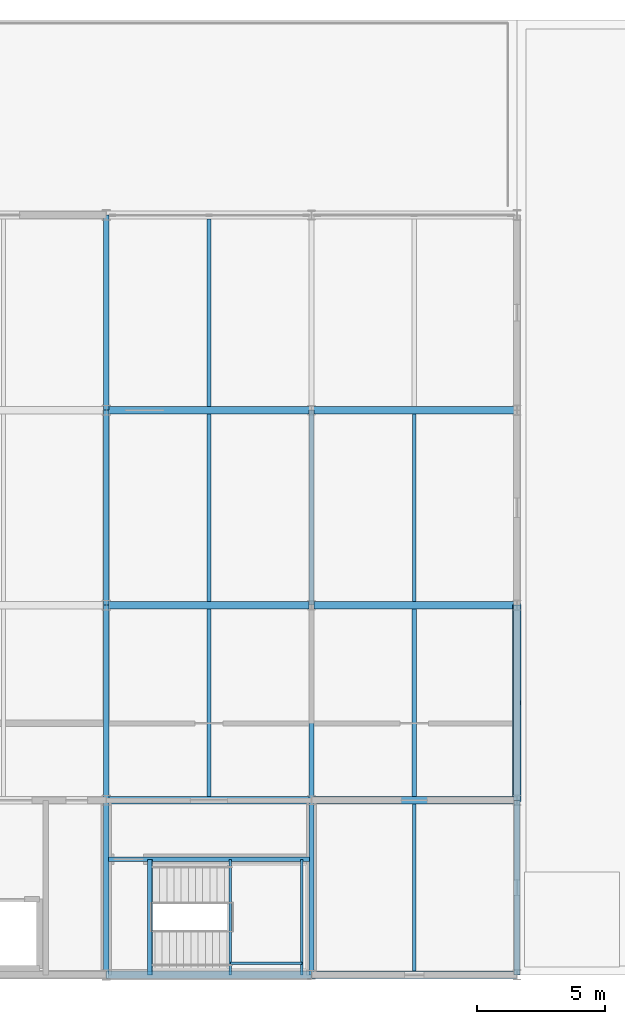
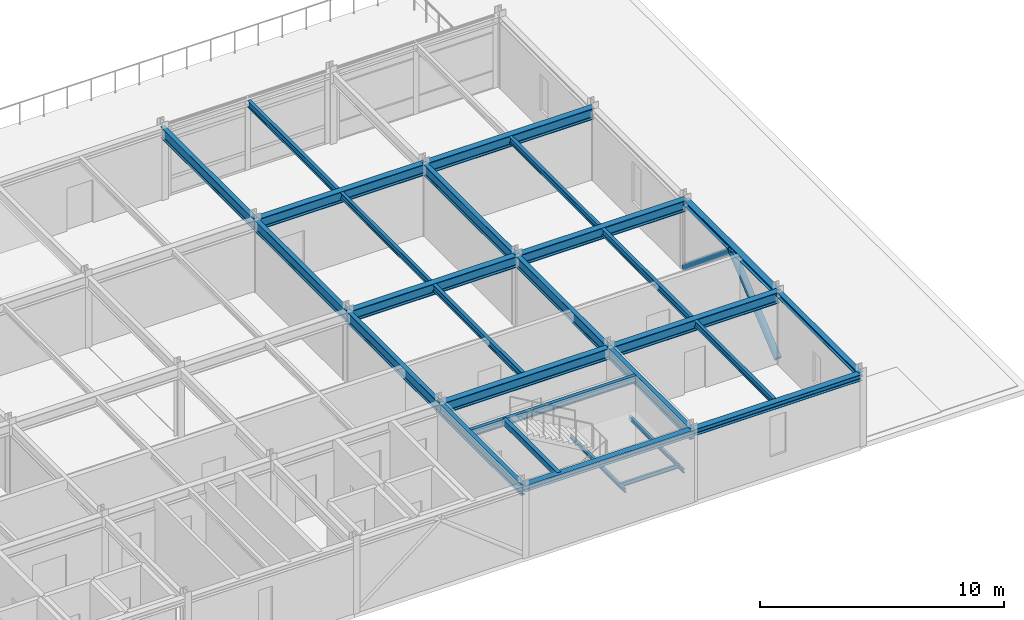
# One storey, part 6 of 12: 28 beams, 2 members.
"""IFC4 building model written with IfcOpenShell, lengths in metres."""

import ifcopenshell
import ifcopenshell.guid

model = None  # the IFC model being written
_history = None  # IfcOwnerHistory: only IFC2X3 demands one
_inside = {}  # id of a spatial element -> (the spatial element, [elements in it])
_under = {}  # id of a project, library or spatial element -> (it, [spatial elements below it])
_declared = {}  # id of a project -> (the project, [libraries it declares])
_typed = {}  # id of a type object -> (the type object, [elements of that type])
_made_of = {}  # id of a material, layer set ... -> (it, [elements and type objects made of it])


def new_model(schema):
    """Start an empty IFC model of exactly this schema.

    Asked for "IFC4X3", IfcOpenShell would pick the latest addendum, in which some entities
    have other attributes; the version numbers below select the first issue.
    IFC2X3 requires an IfcOwnerHistory on every rooted entity: one is made here for all.
    """
    global model, _history
    if schema == "IFC4X3":
        model = ifcopenshell.file(schema_version=(4, 3, 0, 0))
    else:
        model = ifcopenshell.file(schema=schema)
    _inside.clear()
    _under.clear()
    _declared.clear()
    _typed.clear()
    _made_of.clear()
    _history = None
    if model.schema == "IFC2X3":
        org = make("IfcOrganization", Name="unknown")
        user = make(
            "IfcPersonAndOrganization",
            ThePerson=make("IfcPerson", FamilyName="unknown"),
            TheOrganization=org,
        )
        app = make(
            "IfcApplication",
            ApplicationDeveloper=org,
            Version="unknown",
            ApplicationFullName="unknown",
            ApplicationIdentifier="unknown",
        )
        _history = make(
            "IfcOwnerHistory",
            OwningUser=user,
            OwningApplication=app,
            ChangeAction="ADDED",
            CreationDate=0,
        )
    return model


def make(cls, **values):
    """One entity of the class cls with the attributes given. An attribute that is None is left unset."""
    return model.create_entity(
        cls, **{name: value for name, value in values.items() if value is not None}
    )


def rooted(cls, **values):
    """An entity with a GlobalId (a new one), such as an element, a storey or a relation."""
    return make(cls, GlobalId=ifcopenshell.guid.new(), OwnerHistory=_history, **values)


def si_unit(unit_type, name, prefix=None):
    """IfcSIUnit, for example si_unit("LENGTHUNIT", "METRE", prefix="MILLI")."""
    return make("IfcSIUnit", UnitType=unit_type, Prefix=prefix, Name=name)


def assignment(units):
    """IfcUnitAssignment: the units of a project."""
    return None if units is None else make("IfcUnitAssignment", Units=units)


def point(xyz):
    """IfcCartesianPoint."""
    return None if xyz is None else make("IfcCartesianPoint", Coordinates=xyz)


def direction(xyz):
    """IfcDirection."""
    return None if xyz is None else make("IfcDirection", DirectionRatios=xyz)


def frame(location, z_axis=None, x_axis=None):
    """IfcAxis2Placement3D, a coordinate frame: its origin and axes. An axis left out is left unset."""
    return make(
        "IfcAxis2Placement3D",
        Location=point(location),
        Axis=direction(z_axis),
        RefDirection=direction(x_axis),
    )


def frame_2d(location, x_axis=None):
    """IfcAxis2Placement2D, a coordinate frame in the plane: its origin and x axis."""
    return make(
        "IfcAxis2Placement2D", Location=point(location), RefDirection=direction(x_axis)
    )


def origin():
    """The frame at (0, 0, 0) with its axes left unset."""
    return frame((0.0, 0.0, 0.0))


def origin_2d():
    """The frame at (0, 0) in the plane with its x axis left unset."""
    return frame_2d((0.0, 0.0))


def place(relative_to, where):
    """IfcLocalPlacement: puts the frame where relative to a parent placement (None: the world)."""
    return make(
        "IfcLocalPlacement", PlacementRelTo=relative_to, RelativePlacement=where
    )


def context(
    kind, dimensions, precision=None, world=None, true_north=None, identifier=None
):
    """IfcGeometricRepresentationContext, for example the 3D "Model" context."""
    return make(
        "IfcGeometricRepresentationContext",
        ContextIdentifier=identifier,
        ContextType=kind,
        CoordinateSpaceDimension=dimensions,
        Precision=precision,
        WorldCoordinateSystem=world,
        TrueNorth=true_north,
    )


def subcontext(parent, identifier, kind, view, scale=None):
    """IfcGeometricRepresentationSubContext, for example "Body" below "Model"."""
    return make(
        "IfcGeometricRepresentationSubContext",
        ContextIdentifier=identifier,
        ContextType=kind,
        ParentContext=parent,
        TargetScale=scale,
        TargetView=view,
    )


def project(units=None, contexts=None):
    """IfcProject with its units and contexts."""
    return rooted(
        "IfcProject",
        Name="project",
        RepresentationContexts=contexts,
        UnitsInContext=assignment(units),
    )


def spatial(cls, under=None, at=None, **own):
    """A site, building, storey or space (cls), placed at a placement, below another one or the project."""
    s = rooted(cls, ObjectPlacement=at, **own)
    if under is not None:
        _under.setdefault(under.id(), (under, []))[1].append(s)
    return s


def profile(cls, at=None, kind="AREA", **sizes):
    """A parametric profile (cls). Its sizes go by their IFC names, for example OverallWidth=200.0."""
    return make(cls, ProfileType=kind, Position=at, **sizes)


def hollow_rectangle(**sizes):
    """IfcRectangleHollowProfileDef."""
    return profile("IfcRectangleHollowProfileDef", **sizes)


def hollow_circle(**sizes):
    """IfcCircleHollowProfileDef."""
    return profile("IfcCircleHollowProfileDef", **sizes)


def i_section(**sizes):
    """IfcIShapeProfileDef."""
    return profile("IfcIShapeProfileDef", **sizes)


def extrude(swept, where, along, depth):
    """IfcExtrudedAreaSolid: the profile swept, set in the frame where, extruded along a direction by depth."""
    return make(
        "IfcExtrudedAreaSolid",
        SweptArea=swept,
        Position=where,
        ExtrudedDirection=direction(along),
        Depth=depth,
    )


def shape(context_of_items, identifier, shape_type, items):
    """IfcShapeRepresentation: the items that make up one representation, for example the "Body"."""
    return make(
        "IfcShapeRepresentation",
        ContextOfItems=context_of_items,
        RepresentationIdentifier=identifier,
        RepresentationType=shape_type,
        Items=items,
    )


def material(Name=None, Category=None):
    """IfcMaterial."""
    return make("IfcMaterial", Name=Name, Category=Category)


def material_profile(
    of_material, cross_section, Name=None, Category=None, Priority=None
):
    """IfcMaterialProfile: a cross section and its material."""
    return make(
        "IfcMaterialProfile",
        Name=Name,
        Material=of_material,
        Profile=cross_section,
        Priority=Priority,
        Category=Category,
    )


def profile_set(profiles, Name=None, composite=None):
    """IfcMaterialProfileSet."""
    return make(
        "IfcMaterialProfileSet",
        Name=Name,
        MaterialProfiles=profiles,
        CompositeProfile=composite,
    )


def made_of(thing, what):
    """Note that an element or type object is made of a material, layer set ...; save() writes the relation."""
    if what is not None:
        _made_of.setdefault(what.id(), (what, []))[1].append(thing)
    return thing


def type_object(cls, material=None, **own):
    """A type object (cls), such as IfcWallType, which elements share."""
    return made_of(rooted(cls, **own), material)


def element(
    cls,
    number,
    at=None,
    inside=None,
    cuts=None,
    type_object=None,
    material=None,
    context=None,
    identifier="Body",
    shape_type=None,
    held_by="IfcProductDefinitionShape",
    body=None,
    shapes=None,
    **own,
):
    """One element of the class cls, such as IfcWall. Its Tag is "e" and its number.

    at: its placement. inside: the storey or other place that contains it. cuts: it is an
    opening in that element (IfcRelVoidsElement). A single representation is given by context,
    identifier, shape_type and body (its items); several are given by shapes. held_by: the class
    of the entity that holds the representations. save() writes the other relations.
    """
    e = rooted(cls, Tag="e%d" % number, ObjectPlacement=at, **own)
    if body is not None:
        shapes = [shape(context, identifier, shape_type, body)]
    if shapes is not None:
        e.Representation = make(held_by, Representations=shapes)
    if inside is not None:
        _inside.setdefault(inside.id(), (inside, []))[1].append(e)
    if cuts is not None:
        rooted(
            "IfcRelVoidsElement", RelatingBuildingElement=cuts, RelatedOpeningElement=e
        )
    if type_object is not None:
        _typed.setdefault(type_object.id(), (type_object, []))[1].append(e)
    return made_of(e, material)


def aggregate(whole, parts):
    """IfcRelAggregates: a whole, such as a stair, and the parts it consists of."""
    return rooted("IfcRelAggregates", RelatingObject=whole, RelatedObjects=parts)


def save(model, path):
    """Write the relations noted so far, then the file.

    IfcRelAggregates (storeys below a building ...), IfcRelContainedInSpatialStructure (elements
    in a storey), IfcRelDefinesByType, IfcRelAssociatesMaterial and IfcRelDeclares: one each for
    every whole, place, type object, material and project.
    """
    for whole, parts in _under.values():
        aggregate(whole, parts)
    for where, things in _inside.values():
        rooted(
            "IfcRelContainedInSpatialStructure",
            RelatedElements=things,
            RelatingStructure=where,
        )
    for kind, things in _typed.values():
        rooted("IfcRelDefinesByType", RelatedObjects=things, RelatingType=kind)
    for what, things in _made_of.values():
        rooted("IfcRelAssociatesMaterial", RelatedObjects=things, RelatingMaterial=what)
    for by, libraries in _declared.values():
        rooted("IfcRelDeclares", RelatingContext=by, RelatedDefinitions=libraries)
    model.write(path)


model = new_model("IFC4")

# Units and contexts
model_context = context("Model", 3, precision=1e-05, world=origin(), true_north=direction((0.0, 1.0)))
body_context = subcontext(model_context, "Body", "Model", "MODEL_VIEW")
ifc_project = project(units=[si_unit("LENGTHUNIT", "METRE"), si_unit("AREAUNIT", "SQUARE_METRE"), si_unit("VOLUMEUNIT", "CUBIC_METRE"), si_unit("PLANEANGLEUNIT", "RADIAN"), si_unit("MASSUNIT", "GRAM", prefix="KILO")], contexts=[model_context])

# Site, building, storey
site_placement = place(None, origin())
site = spatial("IfcSite", under=ifc_project, at=site_placement, CompositionType="ELEMENT")
building_placement = place(site_placement, origin())
building = spatial("IfcBuilding", under=site, at=building_placement, Name="Shalkamar Park Central Library", CompositionType="ELEMENT")
storey_placement = place(building_placement, frame((0.0, 0.0, 56.10009765625)))
storey = spatial("IfcBuildingStorey", under=building, at=storey_placement, Name="L14", CompositionType="ELEMENT", Elevation=56.10009765625)

# Beams
ifc_material = material(Name="Steel S355", Category="steel")
ifc_material_profile_1 = material_profile(ifc_material, i_section(OverallWidth=0.10009765625, OverallDepth=0.199951171875, WebThickness=0.005615234375, FlangeThickness=0.008544921875, FilletRadius=0.011962890625, at=origin_2d()), Name="IPE 200")
ifc_profile_set_1 = profile_set([ifc_material_profile_1], Name="Steel S355")
beam_type_1 = type_object("IfcBeamType", Name="Composite Floor Joist IPE200", PredefinedType="JOIST", material=ifc_profile_set_1)
for number, where, z_axis, x_axis, name in (
    (1, (201.840087890625, 248.39990234375, 1.56982421875), (0.0, 1.0, 0.0), (-1.0, 0.0, 0.0), "Stair Half-Landing Beam ST-T2-L14-1"),
    (2, (204.6201171875, 248.39990234375, 1.56982421875), (0.0, 1.0, 0.0), (-1.0, 0.0, 0.0), "Stair Half-Landing Beam ST-T2-L14-2"),
):
    element("IfcBeam", number, at=place(storey_placement, frame(where, z_axis=z_axis, x_axis=x_axis)), inside=storey, type_object=beam_type_1, Name=name, PredefinedType="JOIST", context=body_context, shape_type="SweptSolid", body=[
        extrude(i_section(OverallWidth=0.10009765625, OverallDepth=0.199951171875, WebThickness=0.005615234375, FlangeThickness=0.008544921875, FilletRadius=0.011962890625, at=origin_2d()), origin(), (0.0, 0.0, 1.0), 4.5),
    ])
beam_1_placement = place(storey_placement, frame((201.840087890625, 248.85009765625, 1.56982421875), z_axis=(1.0, 0.0, 0.0), x_axis=(0.0, 1.0, 0.0)))
element("IfcBeam", 3, at=beam_1_placement, inside=storey, type_object=beam_type_1, Name="Stair Half-Landing Cross Tie ST-T2-L14-3", PredefinedType="JOIST", context=body_context, shape_type="SweptSolid", body=[
    extrude(i_section(OverallWidth=0.10009765625, OverallDepth=0.199951171875, WebThickness=0.005615234375, FlangeThickness=0.008544921875, FilletRadius=0.011962890625, at=origin_2d()), origin(), (0.0, 0.0, 1.0), 2.780029296875),
])
ifc_material_profile_2 = material_profile(ifc_material, i_section(OverallWidth=0.14990234375, OverallDepth=0.300048828125, WebThickness=0.007080078125, FlangeThickness=0.0107421875, FilletRadius=0.014892578125, at=origin_2d()), Name="IPE 300")
ifc_profile_set_2 = profile_set([ifc_material_profile_2], Name="Steel S355")
beam_type_2 = type_object("IfcBeamType", Name="Composite Floor Joist IPE300", PredefinedType="JOIST", material=ifc_profile_set_2)
beam_2_placement = place(storey_placement, frame((201.0, 262.947998046875, 3.429931640625), z_axis=(0.0, 1.0, 0.0), x_axis=(-1.0, 0.0, 0.0)))
element("IfcBeam", 4, at=beam_2_placement, inside=storey, type_object=beam_type_2, Name="Composite Joist 11/D-1 (L14)", PredefinedType="JOIST", context=body_context, shape_type="SweptSolid", body=[
    extrude(i_section(OverallWidth=0.14990234375, OverallDepth=0.300048828125, WebThickness=0.007080078125, FlangeThickness=0.0107421875, FilletRadius=0.014892578125, at=origin_2d()), origin(), (0.0, 0.0, 1.0), 7.303955078125),
])
beam_3_placement = place(storey_placement, frame((209.0, 248.548095703125, 3.429931640625), z_axis=(0.0, 1.0, 0.0), x_axis=(-1.0, 0.0, 0.0)))
element("IfcBeam", 5, at=beam_3_placement, inside=storey, type_object=beam_type_2, Name="Composite Joist 12/B-1 (L14)", PredefinedType="JOIST", context=body_context, shape_type="SweptSolid", body=[
    extrude(i_section(OverallWidth=0.14990234375, OverallDepth=0.300048828125, WebThickness=0.007080078125, FlangeThickness=0.0107421875, FilletRadius=0.014892578125, at=origin_2d()), origin(), (0.0, 0.0, 1.0), 6.50390625),
])
beam_4_placement = place(storey_placement, frame((209.0, 262.947998046875, 3.429931640625), z_axis=(0.0, 1.0, 0.0), x_axis=(-1.0, 0.0, 0.0)))
element("IfcBeam", 6, at=beam_4_placement, inside=storey, type_object=beam_type_2, Name="Composite Joist 12/D-1 (L14)", PredefinedType="JOIST", context=body_context, shape_type="SweptSolid", body=[
    extrude(i_section(OverallWidth=0.14990234375, OverallDepth=0.300048828125, WebThickness=0.007080078125, FlangeThickness=0.0107421875, FilletRadius=0.014892578125, at=origin_2d()), origin(), (0.0, 0.0, 1.0), 7.303955078125),
])
ifc_material_profile_3 = material_profile(ifc_material, i_section(OverallWidth=0.159912109375, OverallDepth=0.330078125, WebThickness=0.007568359375, FlangeThickness=0.011474609375, FilletRadius=0.01806640625, at=origin_2d()), Name="IPE 330")
ifc_profile_set_3 = profile_set([ifc_material_profile_3], Name="Steel S355")
beam_type_3 = type_object("IfcBeamType", Name="Composite Floor Joist IPE330", PredefinedType="JOIST", material=ifc_profile_set_3)
beam_5_placement = place(storey_placement, frame((201.0, 255.347900390625, 3.414794921875), z_axis=(0.0, 1.0, 0.0), x_axis=(-1.0, 0.0, 0.0)))
element("IfcBeam", 7, at=beam_5_placement, inside=storey, type_object=beam_type_3, Name="Composite Joist 11/C-1 (L14)", PredefinedType="JOIST", context=body_context, shape_type="SweptSolid", body=[
    extrude(i_section(OverallWidth=0.159912109375, OverallDepth=0.330078125, WebThickness=0.007568359375, FlangeThickness=0.011474609375, FilletRadius=0.01806640625, at=origin_2d()), origin(), (0.0, 0.0, 1.0), 7.30419921875),
])
beam_6_placement = place(storey_placement, frame((201.0, 270.548095703125, 3.414794921875), z_axis=(0.0, 1.0, 0.0), x_axis=(-1.0, 0.0, 0.0)))
element("IfcBeam", 8, at=beam_6_placement, inside=storey, type_object=beam_type_3, Name="Composite Joist 11/E-1 (L14)", PredefinedType="JOIST", context=body_context, shape_type="SweptSolid", body=[
    extrude(i_section(OverallWidth=0.159912109375, OverallDepth=0.330078125, WebThickness=0.007568359375, FlangeThickness=0.011474609375, FilletRadius=0.01806640625, at=origin_2d()), origin(), (0.0, 0.0, 1.0), 7.303955078125),
])
beam_7_placement = place(storey_placement, frame((209.0, 255.347900390625, 3.414794921875), z_axis=(0.0, 1.0, 0.0), x_axis=(-1.0, 0.0, 0.0)))
element("IfcBeam", 9, at=beam_7_placement, inside=storey, type_object=beam_type_3, Name="Composite Joist 12/C-1 (L14)", PredefinedType="JOIST", context=body_context, shape_type="SweptSolid", body=[
    extrude(i_section(OverallWidth=0.159912109375, OverallDepth=0.330078125, WebThickness=0.007568359375, FlangeThickness=0.011474609375, FilletRadius=0.01806640625, at=origin_2d()), origin(), (0.0, 0.0, 1.0), 7.30419921875),
])

# Members
ifc_material_profile_4 = material_profile(ifc_material, hollow_circle(Radius=0.161865234375, WallThickness=0.012451171875, at=origin_2d()), Name="CHS 323.9x12.5")
ifc_profile_set_4 = profile_set([ifc_material_profile_4], Name="Steel S355")
member_type = type_object("IfcMemberType", Name="Diagonal Brace CHS323", PredefinedType="BRACE", material=ifc_profile_set_4)
for number, where, z_axis, x_axis, name in (
    (10, (213.0, 255.199951171875, 0.14990234375), (0.0, 0.771887288884, 0.635759398876), (-1.0, 0.0, 0.0), "Chevron Brace TW-E Leg A (L14)"),
    (11, (213.0, 262.800048828125, 0.14990234375), (0.0, -0.771887288884, 0.635759398876), (1.0, 0.0, 0.0), "Chevron Brace TW-E Leg B (L14)"),
):
    element("IfcMember", number, at=place(storey_placement, frame(where, z_axis=z_axis, x_axis=x_axis)), inside=storey, type_object=member_type, Name=name, PredefinedType="BRACE", context=body_context, shape_type="SweptSolid", body=[
        extrude(hollow_circle(Radius=0.161865234375, WallThickness=0.012451171875, at=origin_2d()), origin(), (0.0, 0.0, 1.0), 4.923095703125),
    ])

# Beams
ifc_material_profile_5 = material_profile(ifc_material, i_section(OverallWidth=0.239990234375, OverallDepth=0.22998046875, WebThickness=0.007568359375, FlangeThickness=0.011962890625, FilletRadius=0.02099609375, at=origin_2d()), Name="HEA 240")
ifc_profile_set_5 = profile_set([ifc_material_profile_5], Name="Steel S355")
beam_type_4 = type_object("IfcBeamType", Name="Perimeter Spandrel Beam HEA240", PredefinedType="SPANDREL", material=ifc_profile_set_5)
beam_8_placement = place(storey_placement, frame((213.0, 248.39990234375, 3.46484375), z_axis=(0.0, 1.0, 0.0), x_axis=(-1.0, 0.0, 0.0)))
element("IfcBeam", 12, at=beam_8_placement, inside=storey, type_object=beam_type_4, Name="Beam 13:B-C (L14)", PredefinedType="SPANDREL", context=body_context, shape_type="SweptSolid", body=[
    extrude(i_section(OverallWidth=0.239990234375, OverallDepth=0.22998046875, WebThickness=0.007568359375, FlangeThickness=0.011962890625, FilletRadius=0.02099609375, at=origin_2d()), origin(), (0.0, 0.0, 1.0), 6.800048828125),
])
ifc_material_profile_6 = material_profile(ifc_material, i_section(OverallWidth=0.280029296875, OverallDepth=0.27001953125, WebThickness=0.008056640625, FlangeThickness=0.012939453125, FilletRadius=0.02392578125, at=origin_2d()), Name="HEA 280")
ifc_profile_set_6 = profile_set([ifc_material_profile_6], Name="Steel S355")
beam_type_5 = type_object("IfcBeamType", Name="Perimeter Spandrel Beam HEA280", PredefinedType="SPANDREL", material=ifc_profile_set_6)
beam_9_placement = place(storey_placement, frame((213.0, 255.199951171875, 3.44482421875), z_axis=(0.0, 1.0, 0.0), x_axis=(-1.0, 0.0, 0.0)))
element("IfcBeam", 13, at=beam_9_placement, inside=storey, type_object=beam_type_5, Name="Beam 13:C-D (L14)", PredefinedType="SPANDREL", context=body_context, shape_type="SweptSolid", body=[
    extrude(i_section(OverallWidth=0.280029296875, OverallDepth=0.27001953125, WebThickness=0.008056640625, FlangeThickness=0.012939453125, FilletRadius=0.02392578125, at=origin_2d()), origin(), (0.0, 0.0, 1.0), 7.60009765625),
])
ifc_material_profile_7 = material_profile(ifc_material, i_section(OverallWidth=0.300048828125, OverallDepth=0.31005859375, WebThickness=0.009033203125, FlangeThickness=0.015380859375, FilletRadius=0.027099609375, at=origin_2d()), Name="HEA 320")
ifc_profile_set_7 = profile_set([ifc_material_profile_7], Name="Steel S355")
beam_type_6 = type_object("IfcBeamType", Name="Perimeter Spandrel Beam HEA320", PredefinedType="SPANDREL", material=ifc_profile_set_7)
for number, where, z_axis, x_axis, name in (
    (14, (197.0, 248.39990234375, 3.4248046875), (1.0, 0.0, 0.0), (0.0, 1.0, 0.0), "Beam B:11-12 (L14)"),
    (15, (205.0, 248.39990234375, 3.4248046875), (1.0, 0.0, 0.0), (0.0, 1.0, 0.0), "Beam B:12-13 (L14)"),
):
    element("IfcBeam", number, at=place(storey_placement, frame(where, z_axis=z_axis, x_axis=x_axis)), inside=storey, type_object=beam_type_6, Name=name, PredefinedType="SPANDREL", context=body_context, shape_type="SweptSolid", body=[
        extrude(i_section(OverallWidth=0.300048828125, OverallDepth=0.31005859375, WebThickness=0.009033203125, FlangeThickness=0.015380859375, FilletRadius=0.027099609375, at=origin_2d()), origin(), (0.0, 0.0, 1.0), 8.0),
    ])
ifc_material_profile_8 = material_profile(ifc_material, i_section(OverallWidth=0.300048828125, OverallDepth=0.550048828125, WebThickness=0.014892578125, FlangeThickness=0.029052734375, FilletRadius=0.027099609375, at=origin_2d()), Name="HEB 550")
ifc_profile_set_8 = profile_set([ifc_material_profile_8], Name="Steel S355")
beam_type_7 = type_object("IfcBeamType", Name="Primary Girder HEB550", PredefinedType="BEAM", material=ifc_profile_set_8)
for number, where, z_axis, x_axis, name in (
    (16, (197.0, 255.199951171875, 3.304931640625), (1.0, 0.0, 0.0), (0.0, 1.0, 0.0), "Beam C:11-12 (L14)"),
    (17, (205.0, 255.199951171875, 3.304931640625), (1.0, 0.0, 0.0), (0.0, 1.0, 0.0), "Beam C:12-13 (L14)"),
    (18, (197.0, 262.800048828125, 3.304931640625), (1.0, 0.0, 0.0), (0.0, 1.0, 0.0), "Beam D:11-12 (L14)"),
    (19, (205.0, 262.800048828125, 3.304931640625), (1.0, 0.0, 0.0), (0.0, 1.0, 0.0), "Beam D:12-13 (L14)"),
    (20, (197.0, 270.39990234375, 3.304931640625), (1.0, 0.0, 0.0), (0.0, 1.0, 0.0), "Beam E:11-12 (L14)"),
    (21, (205.0, 270.39990234375, 3.304931640625), (1.0, 0.0, 0.0), (0.0, 1.0, 0.0), "Beam E:12-13 (L14)"),
):
    element("IfcBeam", number, at=place(storey_placement, frame(where, z_axis=z_axis, x_axis=x_axis)), inside=storey, type_object=beam_type_7, Name=name, PredefinedType="BEAM", context=body_context, shape_type="SweptSolid", body=[
        extrude(i_section(OverallWidth=0.300048828125, OverallDepth=0.550048828125, WebThickness=0.014892578125, FlangeThickness=0.029052734375, FilletRadius=0.027099609375, at=origin_2d()), origin(), (0.0, 0.0, 1.0), 8.0),
    ])
ifc_material_profile_9 = material_profile(ifc_material, i_section(OverallWidth=0.169921875, OverallDepth=0.360107421875, WebThickness=0.008056640625, FlangeThickness=0.0126953125, FilletRadius=0.01806640625, at=origin_2d()), Name="IPE 360")
ifc_profile_set_9 = profile_set([ifc_material_profile_9], Name="Steel S355")
beam_type_8 = type_object("IfcBeamType", Name="Primary Girder IPE360", PredefinedType="BEAM", material=ifc_profile_set_9)
beam_10_placement = place(storey_placement, frame((197.087890625, 252.89990234375, 3.39990234375), z_axis=(1.0, 0.0, 0.0), x_axis=(0.0, 1.0, 0.0)))
element("IfcBeam", 22, at=beam_10_placement, inside=storey, type_object=beam_type_8, Name="CORE-T2 Stairwell Divider Beam (L14)", PredefinedType="BEAM", context=body_context, shape_type="SweptSolid", body=[
    extrude(i_section(OverallWidth=0.169921875, OverallDepth=0.360107421875, WebThickness=0.008056640625, FlangeThickness=0.0126953125, FilletRadius=0.01806640625, at=origin_2d()), origin(), (0.0, 0.0, 1.0), 7.82421875),
])
ifc_material_profile_10 = material_profile(ifc_material, i_section(OverallWidth=0.2099609375, OverallDepth=0.550048828125, WebThickness=0.010986328125, FlangeThickness=0.01708984375, FilletRadius=0.02392578125, at=origin_2d()), Name="IPE 550")
ifc_profile_set_10 = profile_set([ifc_material_profile_10], Name="Steel S355")
beam_type_9 = type_object("IfcBeamType", Name="Primary Girder IPE550", PredefinedType="BEAM", material=ifc_profile_set_10)
beam_11_placement = place(storey_placement, frame((197.0, 248.39990234375, 3.304931640625), z_axis=(0.0, 1.0, 0.0), x_axis=(-1.0, 0.0, 0.0)))
element("IfcBeam", 23, at=beam_11_placement, inside=storey, type_object=beam_type_9, Name="Beam 11:B-C (L14)", PredefinedType="BEAM", context=body_context, shape_type="SweptSolid", body=[
    extrude(i_section(OverallWidth=0.2099609375, OverallDepth=0.550048828125, WebThickness=0.010986328125, FlangeThickness=0.01708984375, FilletRadius=0.02392578125, at=origin_2d()), origin(), (0.0, 0.0, 1.0), 6.800048828125),
])
beam_12_placement = place(storey_placement, frame((197.0, 255.199951171875, 3.304931640625), z_axis=(0.0, 1.0, 0.0), x_axis=(-1.0, 0.0, 0.0)))
element("IfcBeam", 24, at=beam_12_placement, inside=storey, type_object=beam_type_9, Name="Beam 11:C-D (L14)", PredefinedType="BEAM", context=body_context, shape_type="SweptSolid", body=[
    extrude(i_section(OverallWidth=0.2099609375, OverallDepth=0.550048828125, WebThickness=0.010986328125, FlangeThickness=0.01708984375, FilletRadius=0.02392578125, at=origin_2d()), origin(), (0.0, 0.0, 1.0), 7.60009765625),
])
beam_13_placement = place(storey_placement, frame((197.0, 262.800048828125, 3.304931640625), z_axis=(0.0, 1.0, 0.0), x_axis=(-1.0, 0.0, 0.0)))
element("IfcBeam", 25, at=beam_13_placement, inside=storey, type_object=beam_type_9, Name="Beam 11:D-E (L14)", PredefinedType="BEAM", context=body_context, shape_type="SweptSolid", body=[
    extrude(i_section(OverallWidth=0.2099609375, OverallDepth=0.550048828125, WebThickness=0.010986328125, FlangeThickness=0.01708984375, FilletRadius=0.02392578125, at=origin_2d()), origin(), (0.0, 0.0, 1.0), 7.599853515625),
])
beam_14_placement = place(storey_placement, frame((197.0, 270.39990234375, 3.304931640625), z_axis=(0.0, 1.0, 0.0), x_axis=(-1.0, 0.0, 0.0)))
element("IfcBeam", 26, at=beam_14_placement, inside=storey, type_object=beam_type_9, Name="Beam 11:E-F (L14)", PredefinedType="BEAM", context=body_context, shape_type="SweptSolid", body=[
    extrude(i_section(OverallWidth=0.2099609375, OverallDepth=0.550048828125, WebThickness=0.010986328125, FlangeThickness=0.01708984375, FilletRadius=0.02392578125, at=origin_2d()), origin(), (0.0, 0.0, 1.0), 7.60009765625),
])
beam_15_placement = place(storey_placement, frame((205.0, 248.39990234375, 3.304931640625), z_axis=(0.0, 1.0, 0.0), x_axis=(-1.0, 0.0, 0.0)))
element("IfcBeam", 27, at=beam_15_placement, inside=storey, type_object=beam_type_9, Name="Beam 12:B-C (L14)", PredefinedType="BEAM", context=body_context, shape_type="SweptSolid", body=[
    extrude(i_section(OverallWidth=0.2099609375, OverallDepth=0.550048828125, WebThickness=0.010986328125, FlangeThickness=0.01708984375, FilletRadius=0.02392578125, at=origin_2d()), origin(), (0.0, 0.0, 1.0), 6.800048828125),
])
beam_16_placement = place(storey_placement, frame((205.0, 255.199951171875, 3.304931640625), z_axis=(0.0, 1.0, 0.0), x_axis=(-1.0, 0.0, 0.0)))
element("IfcBeam", 28, at=beam_16_placement, inside=storey, type_object=beam_type_9, Name="Beam 12:C-D (L14)", PredefinedType="BEAM", context=body_context, shape_type="SweptSolid", body=[
    extrude(i_section(OverallWidth=0.2099609375, OverallDepth=0.550048828125, WebThickness=0.010986328125, FlangeThickness=0.01708984375, FilletRadius=0.02392578125, at=origin_2d()), origin(), (0.0, 0.0, 1.0), 7.60009765625),
])
beam_17_placement = place(storey_placement, frame((205.0, 262.800048828125, 3.304931640625), z_axis=(0.0, 1.0, 0.0), x_axis=(-1.0, 0.0, 0.0)))
element("IfcBeam", 29, at=beam_17_placement, inside=storey, type_object=beam_type_9, Name="Beam 12:D-E (L14)", PredefinedType="BEAM", context=body_context, shape_type="SweptSolid", body=[
    extrude(i_section(OverallWidth=0.2099609375, OverallDepth=0.550048828125, WebThickness=0.010986328125, FlangeThickness=0.01708984375, FilletRadius=0.02392578125, at=origin_2d()), origin(), (0.0, 0.0, 1.0), 7.599853515625),
])
ifc_material_profile_11 = material_profile(ifc_material, hollow_rectangle(XDim=0.199951171875, YDim=0.300048828125, WallThickness=0.011962890625, InnerFilletRadius=0.011962890625, OuterFilletRadius=0.01806640625, at=origin_2d()), Name="RHS 300x200x12")
ifc_profile_set_11 = profile_set([ifc_material_profile_11], Name="Steel S355")
beam_type_10 = type_object("IfcBeamType", Name="Stair Trimmer Box RHS300x200", PredefinedType="BEAM", material=ifc_profile_set_11)
beam_18_placement = place(storey_placement, frame((198.699951171875, 248.39990234375, 3.429931640625), z_axis=(0.0, 1.0, 0.0), x_axis=(-1.0, 0.0, 0.0)))
element("IfcBeam", 30, at=beam_18_placement, inside=storey, type_object=beam_type_10, Name="Stair Arrival Trimmer Girder ST-T2-L14", PredefinedType="BEAM", context=body_context, shape_type="SweptSolid", body=[
    extrude(hollow_rectangle(XDim=0.199951171875, YDim=0.300048828125, WallThickness=0.011962890625, InnerFilletRadius=0.011962890625, OuterFilletRadius=0.01806640625, at=origin_2d()), origin(), (0.0, 0.0, 1.0), 4.5),
])

save(model, "model.ifc")
